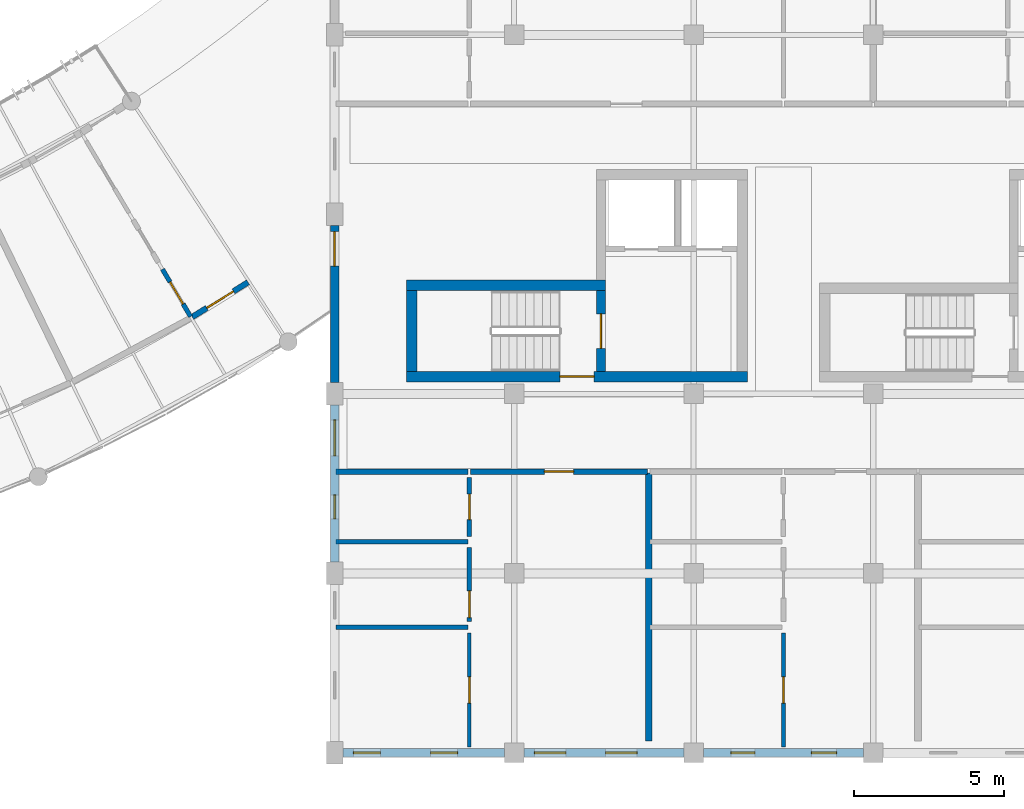
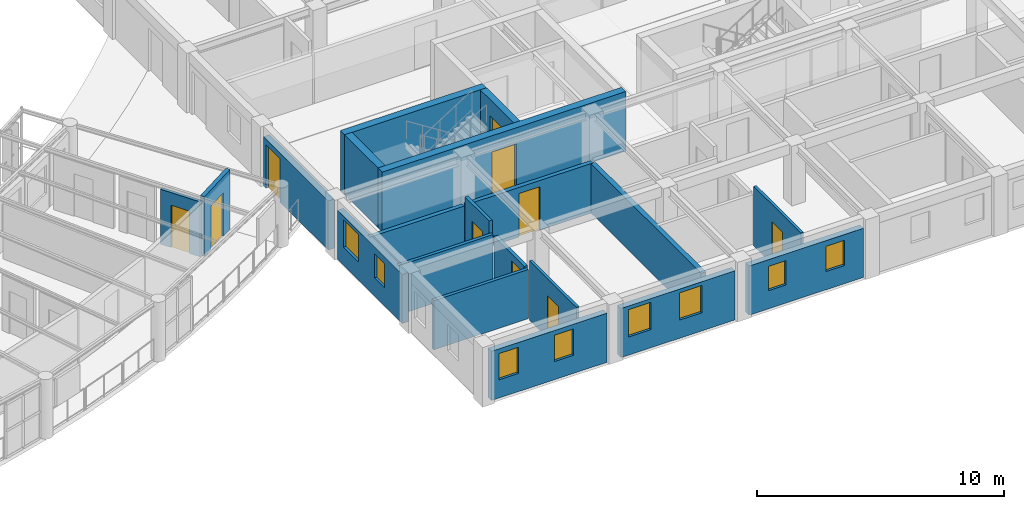
# One storey, part 63 of 100: 20 walls, 10 doors, 8 windows, 18 openings.
"""IFC4 building model written with IfcOpenShell, lengths in metres."""

import ifcopenshell
import ifcopenshell.guid

model = None  # the IFC model being written
_history = None  # IfcOwnerHistory: only IFC2X3 demands one
_inside = {}  # id of a spatial element -> (the spatial element, [elements in it])
_under = {}  # id of a project, library or spatial element -> (it, [spatial elements below it])
_declared = {}  # id of a project -> (the project, [libraries it declares])
_typed = {}  # id of a type object -> (the type object, [elements of that type])
_made_of = {}  # id of a material, layer set ... -> (it, [elements and type objects made of it])


def new_model(schema):
    """Start an empty IFC model of exactly this schema.

    Asked for "IFC4X3", IfcOpenShell would pick the latest addendum, in which some entities
    have other attributes; the version numbers below select the first issue.
    IFC2X3 requires an IfcOwnerHistory on every rooted entity: one is made here for all.
    """
    global model, _history
    if schema == "IFC4X3":
        model = ifcopenshell.file(schema_version=(4, 3, 0, 0))
    else:
        model = ifcopenshell.file(schema=schema)
    _inside.clear()
    _under.clear()
    _declared.clear()
    _typed.clear()
    _made_of.clear()
    _history = None
    if model.schema == "IFC2X3":
        org = make("IfcOrganization", Name="unknown")
        user = make(
            "IfcPersonAndOrganization",
            ThePerson=make("IfcPerson", FamilyName="unknown"),
            TheOrganization=org,
        )
        app = make(
            "IfcApplication",
            ApplicationDeveloper=org,
            Version="unknown",
            ApplicationFullName="unknown",
            ApplicationIdentifier="unknown",
        )
        _history = make(
            "IfcOwnerHistory",
            OwningUser=user,
            OwningApplication=app,
            ChangeAction="ADDED",
            CreationDate=0,
        )
    return model


def make(cls, **values):
    """One entity of the class cls with the attributes given. An attribute that is None is left unset."""
    return model.create_entity(
        cls, **{name: value for name, value in values.items() if value is not None}
    )


def rooted(cls, **values):
    """An entity with a GlobalId (a new one), such as an element, a storey or a relation."""
    return make(cls, GlobalId=ifcopenshell.guid.new(), OwnerHistory=_history, **values)


def si_unit(unit_type, name, prefix=None):
    """IfcSIUnit, for example si_unit("LENGTHUNIT", "METRE", prefix="MILLI")."""
    return make("IfcSIUnit", UnitType=unit_type, Prefix=prefix, Name=name)


def assignment(units):
    """IfcUnitAssignment: the units of a project."""
    return None if units is None else make("IfcUnitAssignment", Units=units)


def point(xyz):
    """IfcCartesianPoint."""
    return None if xyz is None else make("IfcCartesianPoint", Coordinates=xyz)


def direction(xyz):
    """IfcDirection."""
    return None if xyz is None else make("IfcDirection", DirectionRatios=xyz)


def frame(location, z_axis=None, x_axis=None):
    """IfcAxis2Placement3D, a coordinate frame: its origin and axes. An axis left out is left unset."""
    return make(
        "IfcAxis2Placement3D",
        Location=point(location),
        Axis=direction(z_axis),
        RefDirection=direction(x_axis),
    )


def frame_2d(location, x_axis=None):
    """IfcAxis2Placement2D, a coordinate frame in the plane: its origin and x axis."""
    return make(
        "IfcAxis2Placement2D", Location=point(location), RefDirection=direction(x_axis)
    )


def origin():
    """The frame at (0, 0, 0) with its axes left unset."""
    return frame((0.0, 0.0, 0.0))


def place(relative_to, where):
    """IfcLocalPlacement: puts the frame where relative to a parent placement (None: the world)."""
    return make(
        "IfcLocalPlacement", PlacementRelTo=relative_to, RelativePlacement=where
    )


def context(
    kind, dimensions, precision=None, world=None, true_north=None, identifier=None
):
    """IfcGeometricRepresentationContext, for example the 3D "Model" context."""
    return make(
        "IfcGeometricRepresentationContext",
        ContextIdentifier=identifier,
        ContextType=kind,
        CoordinateSpaceDimension=dimensions,
        Precision=precision,
        WorldCoordinateSystem=world,
        TrueNorth=true_north,
    )


def subcontext(parent, identifier, kind, view, scale=None):
    """IfcGeometricRepresentationSubContext, for example "Body" below "Model"."""
    return make(
        "IfcGeometricRepresentationSubContext",
        ContextIdentifier=identifier,
        ContextType=kind,
        ParentContext=parent,
        TargetScale=scale,
        TargetView=view,
    )


def project(units=None, contexts=None):
    """IfcProject with its units and contexts."""
    return rooted(
        "IfcProject",
        Name="project",
        RepresentationContexts=contexts,
        UnitsInContext=assignment(units),
    )


def spatial(cls, under=None, at=None, **own):
    """A site, building, storey or space (cls), placed at a placement, below another one or the project."""
    s = rooted(cls, ObjectPlacement=at, **own)
    if under is not None:
        _under.setdefault(under.id(), (under, []))[1].append(s)
    return s


def profile(cls, at=None, kind="AREA", **sizes):
    """A parametric profile (cls). Its sizes go by their IFC names, for example OverallWidth=200.0."""
    return make(cls, ProfileType=kind, Position=at, **sizes)


def rectangle(**sizes):
    """IfcRectangleProfileDef."""
    return profile("IfcRectangleProfileDef", **sizes)


def extrude(swept, where, along, depth):
    """IfcExtrudedAreaSolid: the profile swept, set in the frame where, extruded along a direction by depth."""
    return make(
        "IfcExtrudedAreaSolid",
        SweptArea=swept,
        Position=where,
        ExtrudedDirection=direction(along),
        Depth=depth,
    )


def shape(context_of_items, identifier, shape_type, items):
    """IfcShapeRepresentation: the items that make up one representation, for example the "Body"."""
    return make(
        "IfcShapeRepresentation",
        ContextOfItems=context_of_items,
        RepresentationIdentifier=identifier,
        RepresentationType=shape_type,
        Items=items,
    )


def material(Name=None, Category=None):
    """IfcMaterial."""
    return make("IfcMaterial", Name=Name, Category=Category)


def layer(
    of_material, thickness, ventilated=None, Name=None, Category=None, Priority=None
):
    """IfcMaterialLayer: one layer of a wall or slab, of a material (None: an air gap)."""
    return make(
        "IfcMaterialLayer",
        Material=of_material,
        LayerThickness=thickness,
        IsVentilated=ventilated,
        Name=Name,
        Category=Category,
        Priority=Priority,
    )


def layer_set(layers, Name=None):
    """IfcMaterialLayerSet."""
    return make("IfcMaterialLayerSet", MaterialLayers=layers, LayerSetName=Name)


def made_of(thing, what):
    """Note that an element or type object is made of a material, layer set ...; save() writes the relation."""
    if what is not None:
        _made_of.setdefault(what.id(), (what, []))[1].append(thing)
    return thing


def type_object(cls, material=None, **own):
    """A type object (cls), such as IfcWallType, which elements share."""
    return made_of(rooted(cls, **own), material)


def element(
    cls,
    number,
    at=None,
    inside=None,
    cuts=None,
    type_object=None,
    material=None,
    context=None,
    identifier="Body",
    shape_type=None,
    held_by="IfcProductDefinitionShape",
    body=None,
    shapes=None,
    **own,
):
    """One element of the class cls, such as IfcWall. Its Tag is "e" and its number.

    at: its placement. inside: the storey or other place that contains it. cuts: it is an
    opening in that element (IfcRelVoidsElement). A single representation is given by context,
    identifier, shape_type and body (its items); several are given by shapes. held_by: the class
    of the entity that holds the representations. save() writes the other relations.
    """
    e = rooted(cls, Tag="e%d" % number, ObjectPlacement=at, **own)
    if body is not None:
        shapes = [shape(context, identifier, shape_type, body)]
    if shapes is not None:
        e.Representation = make(held_by, Representations=shapes)
    if inside is not None:
        _inside.setdefault(inside.id(), (inside, []))[1].append(e)
    if cuts is not None:
        rooted(
            "IfcRelVoidsElement", RelatingBuildingElement=cuts, RelatedOpeningElement=e
        )
    if type_object is not None:
        _typed.setdefault(type_object.id(), (type_object, []))[1].append(e)
    return made_of(e, material)


def fill(opening, filler):
    """IfcRelFillsElement: the door or window that sits in an opening."""
    return rooted(
        "IfcRelFillsElement",
        RelatingOpeningElement=opening,
        RelatedBuildingElement=filler,
    )


def aggregate(whole, parts):
    """IfcRelAggregates: a whole, such as a stair, and the parts it consists of."""
    return rooted("IfcRelAggregates", RelatingObject=whole, RelatedObjects=parts)


def save(model, path):
    """Write the relations noted so far, then the file.

    IfcRelAggregates (storeys below a building ...), IfcRelContainedInSpatialStructure (elements
    in a storey), IfcRelDefinesByType, IfcRelAssociatesMaterial and IfcRelDeclares: one each for
    every whole, place, type object, material and project.
    """
    for whole, parts in _under.values():
        aggregate(whole, parts)
    for where, things in _inside.values():
        rooted(
            "IfcRelContainedInSpatialStructure",
            RelatedElements=things,
            RelatingStructure=where,
        )
    for kind, things in _typed.values():
        rooted("IfcRelDefinesByType", RelatedObjects=things, RelatingType=kind)
    for what, things in _made_of.values():
        rooted("IfcRelAssociatesMaterial", RelatedObjects=things, RelatingMaterial=what)
    for by, libraries in _declared.values():
        rooted("IfcRelDeclares", RelatingContext=by, RelatedDefinitions=libraries)
    model.write(path)


model = new_model("IFC4")

# Units and contexts
model_context = context("Model", 3, precision=1e-05, world=origin(), true_north=direction((0.0, 1.0)))
body_context = subcontext(model_context, "Body", "Model", "MODEL_VIEW")
ifc_project = project(units=[si_unit("LENGTHUNIT", "METRE"), si_unit("AREAUNIT", "SQUARE_METRE"), si_unit("VOLUMEUNIT", "CUBIC_METRE"), si_unit("PLANEANGLEUNIT", "RADIAN"), si_unit("MASSUNIT", "GRAM", prefix="KILO"), si_unit("POWERUNIT", "WATT"), si_unit("THERMODYNAMICTEMPERATUREUNIT", "KELVIN")], contexts=[model_context])

# Site, building, storey
site_placement = place(None, origin())
site = spatial("IfcSite", under=ifc_project, at=site_placement, CompositionType="ELEMENT")
building_placement = place(site_placement, origin())
building = spatial("IfcBuilding", under=site, at=building_placement, Name="Ruvembo Vaulted Housing Court", CompositionType="ELEMENT")
storey_placement = place(building_placement, frame((0.0, 0.0, 14.10009765625)))
storey = spatial("IfcBuildingStorey", under=building, at=storey_placement, Name="L04", CompositionType="ELEMENT", Elevation=14.10009765625)

# Wall, opening, door
ifc_material_1 = material(Name="Concrete C35/45", Category="concrete")
ifc_layer_1 = layer(ifc_material_1, 0.300048828125, Name="Concrete C35/45")
ifc_layer_set_1 = layer_set([ifc_layer_1], Name="Concrete C35/45")
wall_type_1 = type_object("IfcWallType", Name="WL-CORE-300", PredefinedType="SHEAR", material=ifc_layer_set_1)
wall_1_placement = place(storey_placement, frame((110.89990234375, 12.75, 0.0), z_axis=(0.0, 0.0, 1.0), x_axis=(0.0, 1.0, 0.0)))
wall_1 = element("IfcWall", 1, at=wall_1_placement, inside=storey, type_object=wall_type_1, Name="Core C1 L04 Stair-Lobby Shear Wall", PredefinedType="SHEAR", context=body_context, shape_type="SweptSolid", body=[
    extrude(rectangle(XDim=2.699951171875, YDim=0.300048828125, at=frame_2d((1.35009765625, 0.0))), origin(), (0.0, 0.0, 1.0), 2.949951171875),
])
opening_1_placement = place(wall_1_placement, frame((0.77490234375, 0.0, 0.0)))
opening_1 = element("IfcOpeningElement", 2, at=opening_1_placement, cuts=wall_1, Name="Opening SD1", PredefinedType="OPENING", context=body_context, shape_type="SweptSolid", body=[
    extrude(rectangle(XDim=1.14990234375, YDim=2.14990234375, at=frame_2d((0.574951171875, 1.074951171875))), frame((0.0, 0.159912109375, 0.0), z_axis=(0.0, -1.0, 0.0), x_axis=(1.0, 0.0, 0.0)), (0.0, 0.0, 1.0), 0.320068359375),
])
ifc_material_2 = material(Name="Galvanised Painted Steel", Category="steel")
door_type_1 = type_object("IfcDoorType", Name="DR-STAIR-1150x2150", OperationType="NOTDEFINED", PredefinedType="DOOR", material=ifc_material_2)
door_1_placement = place(opening_1_placement, origin())
door_1 = element("IfcDoor", 3, at=door_1_placement, inside=storey, type_object=door_type_1, Name="Stair ST-C1 L04 Fire Door", OperationType="SINGLE_SWING_LEFT", OverallHeight=2.14990234375, OverallWidth=1.14990234375, PredefinedType="DOOR", context=body_context, shape_type="SweptSolid", body=[
    extrude(rectangle(XDim=1.14990234375, YDim=2.14990234375, at=frame_2d((0.574951171875, 1.074951171875))), frame((0.0, 0.02490234375, 0.0), z_axis=(0.0, -1.0, 0.0), x_axis=(1.0, 0.0, 0.0)), (0.0, 0.0, 1.0), 0.050048828125),
])
fill(opening_1, door_1)

ifc_layer_2 = layer(ifc_material_1, 0.35009765625, Name="Concrete C35/45")
ifc_layer_set_2 = layer_set([ifc_layer_2], Name="Concrete C35/45")
wall_type_2 = type_object("IfcWallType", Name="WL-CORE-350", PredefinedType="SHEAR", material=ifc_layer_set_2)
wall_2_placement = place(storey_placement, frame((104.39990234375, 12.574951171875, 0.0), z_axis=(0.0, 0.0, 1.0), x_axis=(1.0, 0.0, 0.0)))
wall_2 = element("IfcWall", 4, at=wall_2_placement, inside=storey, type_object=wall_type_2, Name="Core C1 L04 South Shear Wall", PredefinedType="SHEAR", context=body_context, shape_type="SweptSolid", body=[
    extrude(rectangle(XDim=11.400146484375, YDim=0.35009765625, at=frame_2d((5.7001953125, 0.0))), origin(), (0.0, 0.0, 1.0), 2.949951171875),
])
opening_2_placement = place(wall_2_placement, frame((5.125, 0.0, 0.0)))
opening_2 = element("IfcOpeningElement", 5, at=opening_2_placement, cuts=wall_2, Name="Opening LD0", PredefinedType="OPENING", context=body_context, shape_type="SweptSolid", body=[
    extrude(rectangle(XDim=1.14990234375, YDim=2.14990234375, at=frame_2d((0.574951171875, 1.074951171875))), frame((0.0, 0.18505859375, 0.0), z_axis=(0.0, -1.0, 0.0), x_axis=(1.0, 0.0, 0.0)), (0.0, 0.0, 1.0), 0.3701171875),
])
door_type_2 = type_object("IfcDoorType", Name="DR-LOB-1150x2150", OperationType="NOTDEFINED", PredefinedType="DOOR", material=ifc_material_2)
door_2_placement = place(opening_2_placement, origin())
door_2 = element("IfcDoor", 6, at=door_2_placement, inside=storey, type_object=door_type_2, Name="Core C1 L04 Lobby Fire Door", OperationType="SINGLE_SWING_RIGHT", OverallHeight=2.14990234375, OverallWidth=1.14990234375, PredefinedType="DOOR", context=body_context, shape_type="SweptSolid", body=[
    extrude(rectangle(XDim=1.14990234375, YDim=2.14990234375, at=frame_2d((0.574951171875, 1.074951171875))), frame((0.0, 0.02490234375, 0.0), z_axis=(0.0, -1.0, 0.0), x_axis=(1.0, 0.0, 0.0)), (0.0, 0.0, 1.0), 0.050048828125),
])
fill(opening_2, door_2)

# Walls
wall_3_placement = place(storey_placement, frame((111.050048828125, 15.625, 0.0), z_axis=(0.0, 0.0, 1.0), x_axis=(-1.0, 0.0, 0.0)))
element("IfcWall", 7, at=wall_3_placement, inside=storey, type_object=wall_type_2, Name="Core C1 L04 Stair North Shear Wall", PredefinedType="SHEAR", context=body_context, shape_type="SweptSolid", body=[
    extrude(rectangle(XDim=6.650146484375, YDim=0.35009765625, at=frame_2d((3.3251953125, 0.0))), origin(), (0.0, 0.0, 1.0), 2.949951171875),
])
wall_4_placement = place(storey_placement, frame((104.574951171875, 15.449951171875, 0.0), z_axis=(0.0, 0.0, 1.0), x_axis=(0.0, -1.0, 0.0)))
element("IfcWall", 8, at=wall_4_placement, inside=storey, type_object=wall_type_2, Name="Core C1 L04 Stair West Shear Wall", PredefinedType="SHEAR", context=body_context, shape_type="SweptSolid", body=[
    extrude(rectangle(XDim=2.699951171875, YDim=0.35009765625, at=frame_2d((1.35009765625, 0.0))), origin(), (0.0, 0.0, 1.0), 2.949951171875),
])
ifc_material_3 = material(Name="Concrete Blockwork 190", Category="masonry")
ifc_layer_3 = layer(ifc_material_3, 0.18994140625, Name="Concrete Blockwork 190")
ifc_layer_set_3 = layer_set([ifc_layer_3], Name="Concrete Blockwork 190")
wall_type_3 = type_object("IfcWallType", Name="WL-CORR-190", PredefinedType="SOLIDWALL", material=ifc_layer_set_3)
wall_5_placement = place(storey_placement, frame((102.0400390625, 9.39990234375, 0.0), z_axis=(0.0, 0.0, 1.0), x_axis=(1.0, 0.0, 0.0)))
element("IfcWall", 9, at=wall_5_placement, inside=storey, type_object=wall_type_3, Name="L04 Flat C-L04-S1 Corridor Wall WL-INT-L04-01188", PredefinedType="SOLIDWALL", context=body_context, shape_type="SweptSolid", body=[
    extrude(rectangle(XDim=4.419921875, YDim=0.18994140625, at=frame_2d((2.2099609375, 0.0))), origin(), (0.0, 0.0, 1.0), 2.431884765625),
])

# Wall, opening, door
wall_6_placement = place(storey_placement, frame((106.5400390625, 9.39990234375, 0.0), z_axis=(0.0, 0.0, 1.0), x_axis=(1.0, 0.0, 0.0)))
wall_6 = element("IfcWall", 10, at=wall_6_placement, inside=storey, type_object=wall_type_3, Name="L04 Flat C-L04-S1 Entrance WL-INT-L04-01189", PredefinedType="SOLIDWALL", context=body_context, shape_type="SweptSolid", body=[
    extrude(rectangle(XDim=5.919921875, YDim=0.18994140625, at=frame_2d((2.9599609375, 0.0))), origin(), (0.0, 0.0, 1.0), 2.4580078125),
])
opening_3_placement = place(wall_6_placement, frame((2.469970703125, 0.0, 0.0)))
opening_3 = element("IfcOpeningElement", 11, at=opening_3_placement, cuts=wall_6, Name="Opening FD2", PredefinedType="OPENING", context=body_context, shape_type="SweptSolid", body=[
    extrude(rectangle(XDim=0.97998046875, YDim=2.14990234375, at=frame_2d((0.489990234375, 1.074951171875))), frame((0.0, 0.10498046875, 0.0), z_axis=(0.0, -1.0, 0.0), x_axis=(1.0, 0.0, 0.0)), (0.0, 0.0, 1.0), 0.2099609375),
])
ifc_material_4 = material(Name="FSC Hardwood and Engineered Timber", Category="wood")
door_type_3 = type_object("IfcDoorType", Name="DR-FLAT-0980x2150", OperationType="NOTDEFINED", PredefinedType="DOOR", material=ifc_material_4)
door_3_placement = place(opening_3_placement, origin())
door_3 = element("IfcDoor", 12, at=door_3_placement, inside=storey, type_object=door_type_3, Name="L04 Flat C-L04-S1 Entrance Door DR-INT-L04-00664", OperationType="SINGLE_SWING_RIGHT", OverallHeight=2.14990234375, OverallWidth=0.97998046875, PredefinedType="DOOR", context=body_context, shape_type="SweptSolid", body=[
    extrude(rectangle(XDim=0.97998046875, YDim=2.14990234375, at=frame_2d((0.489990234375, 1.074951171875))), frame((0.0, 0.02490234375, 0.0), z_axis=(0.0, -1.0, 0.0), x_axis=(1.0, 0.0, 0.0)), (0.0, 0.0, 1.0), 0.050048828125),
])
fill(opening_3, door_3)

wall_7_placement = place(storey_placement, frame((97.238525390625, 14.57080078125, 0.0), z_axis=(0.0, 0.0, 1.0), x_axis=(0.848914783767, 0.528529743631, 0.0)))
wall_7 = element("IfcWall", 13, at=wall_7_placement, inside=storey, type_object=wall_type_3, Name="L04 Suite SC2-L04-U6 Entrance WL-INT-L04-01341", PredefinedType="SOLIDWALL", context=body_context, shape_type="SweptSolid", body=[
    extrude(rectangle(XDim=2.197021484375, YDim=0.18994140625, at=frame_2d((1.0986328125, 0.0))), origin(), (0.0, 0.0, 1.0), 2.949951171875),
])
opening_4_placement = place(wall_7_placement, frame((0.573486328125, 0.0, 0.0)))
opening_4 = element("IfcOpeningElement", 14, at=opening_4_placement, cuts=wall_7, Name="Opening FD3", PredefinedType="OPENING", context=body_context, shape_type="SweptSolid", body=[
    extrude(rectangle(XDim=1.050048828125, YDim=2.14990234375, at=frame_2d((0.52490234375, 1.074951171875))), frame((0.0, 0.10498046875, 0.0), z_axis=(0.0, -1.0, 0.0), x_axis=(1.0, 0.0, 0.0)), (0.0, 0.0, 1.0), 0.2099609375),
])
door_type_4 = type_object("IfcDoorType", Name="DR-FLAT-1050x2150", OperationType="NOTDEFINED", PredefinedType="DOOR", material=ifc_material_4)
door_4_placement = place(opening_4_placement, origin())
door_4 = element("IfcDoor", 15, at=door_4_placement, inside=storey, type_object=door_type_4, Name="L04 Suite SC2-L04-U6 Entrance Door DR-INT-L04-00752", OperationType="SINGLE_SWING_RIGHT", OverallHeight=2.14990234375, OverallWidth=1.050048828125, PredefinedType="DOOR", context=body_context, shape_type="SweptSolid", body=[
    extrude(rectangle(XDim=1.050048828125, YDim=2.14990234375, at=frame_2d((0.52490234375, 1.074951171875))), frame((0.0, 0.02490234375, 0.0), z_axis=(0.0, -1.0, 0.0), x_axis=(1.0, 0.0, 0.0)), (0.0, 0.0, 1.0), 0.050048828125),
])
fill(opening_4, door_4)

# Wall
ifc_material_5 = material(Name="Acoustic Masonry Demising 220", Category="masonry")
ifc_layer_4 = layer(ifc_material_5, 0.219970703125, Name="Acoustic Masonry Demising 220")
ifc_layer_set_4 = layer_set([ifc_layer_4], Name="Acoustic Masonry Demising 220")
wall_type_4 = type_object("IfcWallType", Name="WL-DEM-200", PredefinedType="SOLIDWALL", material=ifc_layer_set_4)
wall_8_placement = place(storey_placement, frame((112.5, 0.389892578125, 0.0), z_axis=(0.0, 0.0, 1.0), x_axis=(0.0, 1.0, 0.0)))
element("IfcWall", 16, at=wall_8_placement, inside=storey, type_object=wall_type_4, Name="L04 Demising C-L04-S1 WL-INT-L04-01187", PredefinedType="SOLIDWALL", context=body_context, shape_type="SweptSolid", body=[
    extrude(rectangle(XDim=8.97021484375, YDim=0.219970703125, at=frame_2d((4.485107421875, 0.0))), origin(), (0.0, 0.0, 1.0), 2.431884765625),
])

# Wall, openings, windows
ifc_material_6 = material(Name="Rendered Masonry 285", Category="masonry")
ifc_layer_5 = layer(ifc_material_6, 0.284912109375, Name="Rendered Masonry 285")
ifc_layer_set_5 = layer_set([ifc_layer_5], Name="Rendered Masonry 285")
wall_type_5 = type_object("IfcWallType", Name="WL-EXT-285", PredefinedType="STANDARD", material=ifc_layer_set_5)
wall_9_placement = place(storey_placement, frame((102.27490234375, 0.0, 0.0), z_axis=(0.0, 0.0, 1.0), x_axis=(1.0, 0.0, 0.0)))
wall_9 = element("IfcWall", 17, at=wall_9_placement, inside=storey, type_object=wall_type_5, Name="Block C L04 Exterior Wall STREET #1", PredefinedType="STANDARD", context=body_context, shape_type="SweptSolid", body=[
    extrude(rectangle(XDim=5.400146484375, YDim=0.284912109375, at=frame_2d((2.7001953125, 0.0))), origin(), (0.0, 0.0, 1.0), 2.431884765625),
])
opening_5_placement = place(wall_9_placement, frame((0.35009765625, 0.0, 0.89990234375)))
opening_5 = element("IfcOpeningElement", 18, at=opening_5_placement, cuts=wall_9, Name="Opening W04", PredefinedType="OPENING", context=body_context, shape_type="SweptSolid", body=[
    extrude(rectangle(XDim=0.89990234375, YDim=1.300048828125, at=frame_2d((0.449951171875, 0.64990234375))), frame((0.0, 0.15234375, 0.0), z_axis=(0.0, -1.0, 0.0), x_axis=(1.0, 0.0, 0.0)), (0.0, 0.0, 1.0), 0.304931640625),
])
opening_6_placement = place(wall_9_placement, frame((2.93505859375, 0.0, 0.89990234375)))
opening_6 = element("IfcOpeningElement", 19, at=opening_6_placement, cuts=wall_9, Name="Opening W04", PredefinedType="OPENING", context=body_context, shape_type="SweptSolid", body=[
    extrude(rectangle(XDim=0.89990234375, YDim=1.300048828125, at=frame_2d((0.449951171875, 0.64990234375))), frame((0.0, 0.15234375, 0.0), z_axis=(0.0, -1.0, 0.0), x_axis=(1.0, 0.0, 0.0)), (0.0, 0.0, 1.0), 0.304931640625),
])
ifc_material_7 = material(Name="Double Solar-Control Glazing in Aluminium Frame", Category="aluminium")
window_type_1 = type_object("IfcWindowType", Name="WIN-0900x1300", PartitioningType="SINGLE_PANEL", PredefinedType="WINDOW", material=ifc_material_7)
window_1_placement = place(opening_5_placement, origin())
window_1 = element("IfcWindow", 20, at=window_1_placement, inside=storey, type_object=window_type_1, Name="Block C L04 Window #1238", OverallHeight=1.300048828125, OverallWidth=0.89990234375, PartitioningType="SINGLE_PANEL", PredefinedType="WINDOW", context=body_context, shape_type="SweptSolid", body=[
    extrude(rectangle(XDim=0.89990234375, YDim=1.300048828125, at=frame_2d((0.449951171875, 0.64990234375))), frame((0.0, 0.030029296875, 0.0), z_axis=(0.0, -1.0, 0.0), x_axis=(1.0, 0.0, 0.0)), (0.0, 0.0, 1.0), 0.06005859375),
])
fill(opening_5, window_1)
window_2_placement = place(opening_6_placement, origin())
window_2 = element("IfcWindow", 21, at=window_2_placement, inside=storey, type_object=window_type_1, Name="Block C L04 Window #1239", OverallHeight=1.300048828125, OverallWidth=0.89990234375, PartitioningType="SINGLE_PANEL", PredefinedType="WINDOW", context=body_context, shape_type="SweptSolid", body=[
    extrude(rectangle(XDim=0.89990234375, YDim=1.300048828125, at=frame_2d((0.449951171875, 0.64990234375))), frame((0.0, 0.030029296875, 0.0), z_axis=(0.0, -1.0, 0.0), x_axis=(1.0, 0.0, 0.0)), (0.0, 0.0, 1.0), 0.06005859375),
])
fill(opening_6, window_2)

wall_10_placement = place(storey_placement, frame((108.324951171875, 0.0, 0.0), z_axis=(0.0, 0.0, 1.0), x_axis=(1.0, 0.0, 0.0)))
wall_10 = element("IfcWall", 22, at=wall_10_placement, inside=storey, type_object=wall_type_5, Name="Block C L04 Exterior Wall STREET #2", PredefinedType="STANDARD", context=body_context, shape_type="SweptSolid", body=[
    extrude(rectangle(XDim=5.35009765625, YDim=0.284912109375, at=frame_2d((2.675048828125, 0.0))), origin(), (0.0, 0.0, 1.0), 2.431884765625),
])
opening_7_placement = place(wall_10_placement, frame((0.35009765625, 0.0, 0.89990234375)))
opening_7 = element("IfcOpeningElement", 23, at=opening_7_placement, cuts=wall_10, Name="Opening W09", PredefinedType="OPENING", context=body_context, shape_type="SweptSolid", body=[
    extrude(rectangle(XDim=1.050048828125, YDim=1.35009765625, at=frame_2d((0.52490234375, 0.675048828125))), frame((0.0, 0.15234375, 0.0), z_axis=(0.0, -1.0, 0.0), x_axis=(1.0, 0.0, 0.0)), (0.0, 0.0, 1.0), 0.304931640625),
])
opening_8_placement = place(wall_10_placement, frame((2.735107421875, 0.0, 0.89990234375)))
opening_8 = element("IfcOpeningElement", 24, at=opening_8_placement, cuts=wall_10, Name="Opening W09", PredefinedType="OPENING", context=body_context, shape_type="SweptSolid", body=[
    extrude(rectangle(XDim=1.050048828125, YDim=1.35009765625, at=frame_2d((0.52490234375, 0.675048828125))), frame((0.0, 0.15234375, 0.0), z_axis=(0.0, -1.0, 0.0), x_axis=(1.0, 0.0, 0.0)), (0.0, 0.0, 1.0), 0.304931640625),
])
window_type_2 = type_object("IfcWindowType", Name="WIN-1050x1350", PartitioningType="SINGLE_PANEL", PredefinedType="WINDOW", material=ifc_material_7)
window_3_placement = place(opening_7_placement, origin())
window_3 = element("IfcWindow", 25, at=window_3_placement, inside=storey, type_object=window_type_2, Name="Block C L04 Window #1240", OverallHeight=1.35009765625, OverallWidth=1.050048828125, PartitioningType="SINGLE_PANEL", PredefinedType="WINDOW", context=body_context, shape_type="SweptSolid", body=[
    extrude(rectangle(XDim=1.050048828125, YDim=1.35009765625, at=frame_2d((0.52490234375, 0.675048828125))), frame((0.0, 0.030029296875, 0.0), z_axis=(0.0, -1.0, 0.0), x_axis=(1.0, 0.0, 0.0)), (0.0, 0.0, 1.0), 0.06005859375),
])
fill(opening_7, window_3)
window_4_placement = place(opening_8_placement, origin())
window_4 = element("IfcWindow", 26, at=window_4_placement, inside=storey, type_object=window_type_2, Name="Block C L04 Window #1241", OverallHeight=1.35009765625, OverallWidth=1.050048828125, PartitioningType="SINGLE_PANEL", PredefinedType="WINDOW", context=body_context, shape_type="SweptSolid", body=[
    extrude(rectangle(XDim=1.050048828125, YDim=1.35009765625, at=frame_2d((0.52490234375, 0.675048828125))), frame((0.0, 0.030029296875, 0.0), z_axis=(0.0, -1.0, 0.0), x_axis=(1.0, 0.0, 0.0)), (0.0, 0.0, 1.0), 0.06005859375),
])
fill(opening_8, window_4)

wall_11_placement = place(storey_placement, frame((114.324951171875, 0.0, 0.0), z_axis=(0.0, 0.0, 1.0), x_axis=(1.0, 0.0, 0.0)))
wall_11 = element("IfcWall", 27, at=wall_11_placement, inside=storey, type_object=wall_type_5, Name="Block C L04 Exterior Wall STREET #3", PredefinedType="STANDARD", context=body_context, shape_type="SweptSolid", body=[
    extrude(rectangle(XDim=5.35009765625, YDim=0.284912109375, at=frame_2d((2.675048828125, 0.0))), origin(), (0.0, 0.0, 1.0), 2.431884765625),
])
opening_9_placement = place(wall_11_placement, frame((0.91748046875, 0.0, 0.89990234375)))
opening_9 = element("IfcOpeningElement", 28, at=opening_9_placement, cuts=wall_11, Name="Opening W02", PredefinedType="OPENING", context=body_context, shape_type="SweptSolid", body=[
    extrude(rectangle(XDim=0.800048828125, YDim=1.199951171875, at=frame_2d((0.39990234375, 0.60009765625))), frame((0.0, 0.15234375, 0.0), z_axis=(0.0, -1.0, 0.0), x_axis=(1.0, 0.0, 0.0)), (0.0, 0.0, 1.0), 0.304931640625),
])
opening_10_placement = place(wall_11_placement, frame((3.607421875, 0.0, 0.89990234375)))
opening_10 = element("IfcOpeningElement", 29, at=opening_10_placement, cuts=wall_11, Name="Opening W03", PredefinedType="OPENING", context=body_context, shape_type="SweptSolid", body=[
    extrude(rectangle(XDim=0.85009765625, YDim=1.25, at=frame_2d((0.425048828125, 0.625))), frame((0.0, 0.15234375, 0.0), z_axis=(0.0, -1.0, 0.0), x_axis=(1.0, 0.0, 0.0)), (0.0, 0.0, 1.0), 0.304931640625),
])
window_type_3 = type_object("IfcWindowType", Name="WIN-0800x1200", PartitioningType="SINGLE_PANEL", PredefinedType="WINDOW", material=ifc_material_7)
window_5_placement = place(opening_9_placement, origin())
window_5 = element("IfcWindow", 30, at=window_5_placement, inside=storey, type_object=window_type_3, Name="Block C L04 Window #1242", OverallHeight=1.199951171875, OverallWidth=0.800048828125, PartitioningType="SINGLE_PANEL", PredefinedType="WINDOW", context=body_context, shape_type="SweptSolid", body=[
    extrude(rectangle(XDim=0.800048828125, YDim=1.199951171875, at=frame_2d((0.39990234375, 0.60009765625))), frame((0.0, 0.030029296875, 0.0), z_axis=(0.0, -1.0, 0.0), x_axis=(1.0, 0.0, 0.0)), (0.0, 0.0, 1.0), 0.06005859375),
])
fill(opening_9, window_5)
window_type_4 = type_object("IfcWindowType", Name="WIN-0850x1250", PartitioningType="SINGLE_PANEL", PredefinedType="WINDOW", material=ifc_material_7)
window_6_placement = place(opening_10_placement, origin())
window_6 = element("IfcWindow", 31, at=window_6_placement, inside=storey, type_object=window_type_4, Name="Block C L04 Window #1243", OverallHeight=1.25, OverallWidth=0.85009765625, PartitioningType="SINGLE_PANEL", PredefinedType="WINDOW", context=body_context, shape_type="SweptSolid", body=[
    extrude(rectangle(XDim=0.85009765625, YDim=1.25, at=frame_2d((0.425048828125, 0.625))), frame((0.0, 0.030029296875, 0.0), z_axis=(0.0, -1.0, 0.0), x_axis=(1.0, 0.0, 0.0)), (0.0, 0.0, 1.0), 0.06005859375),
])
fill(opening_10, window_6)

# Wall, opening, door
wall_12_placement = place(storey_placement, frame((102.0, 17.625, 0.0), z_axis=(0.0, 0.0, 1.0), x_axis=(0.0, -1.0, 0.0)))
wall_12 = element("IfcWall", 32, at=wall_12_placement, inside=storey, type_object=wall_type_5, Name="Block C L04 Exterior Wall WEST #4", PredefinedType="STANDARD", context=body_context, shape_type="SweptSolid", body=[
    extrude(rectangle(XDim=5.25, YDim=0.284912109375, at=frame_2d((2.625, 0.0))), origin(), (0.0, 0.0, 1.0), 2.431884765625),
])
opening_11_placement = place(wall_12_placement, frame((0.199951171875, 0.0, 0.0)))
opening_11 = element("IfcOpeningElement", 33, at=opening_11_placement, cuts=wall_12, Name="Opening GD1", PredefinedType="OPENING", context=body_context, shape_type="SweptSolid", body=[
    extrude(rectangle(XDim=1.14990234375, YDim=2.14990234375, at=frame_2d((0.574951171875, 1.074951171875))), frame((0.0, 0.15234375, 0.0), z_axis=(0.0, -1.0, 0.0), x_axis=(1.0, 0.0, 0.0)), (0.0, 0.0, 1.0), 0.304931640625),
])
ifc_material_8 = material(Name="Thermally Broken Glazed Aluminium", Category="aluminium")
door_type_5 = type_object("IfcDoorType", Name="DR-GAL-1150x2150", OperationType="NOTDEFINED", PredefinedType="DOOR", material=ifc_material_8)
door_5_placement = place(opening_11_placement, frame((1.14990234375, 0.0, 0.0), z_axis=(0.0, 0.0, 1.0), x_axis=(-1.0, 0.0, 0.0)))
door_5 = element("IfcDoor", 34, at=door_5_placement, inside=storey, type_object=door_type_5, Name="Block C L04 Terrace or Gallery Door DR-TER-C-L04-061", OperationType="SINGLE_SWING_RIGHT", OverallHeight=2.14990234375, OverallWidth=1.14990234375, PredefinedType="DOOR", context=body_context, shape_type="SweptSolid", body=[
    extrude(rectangle(XDim=1.14990234375, YDim=2.14990234375, at=frame_2d((0.574951171875, 1.074951171875))), frame((0.0, 0.02490234375, 0.0), z_axis=(0.0, -1.0, 0.0), x_axis=(1.0, 0.0, 0.0)), (0.0, 0.0, 1.0), 0.050048828125),
])
fill(opening_11, door_5)

# Wall, openings, windows
wall_13_placement = place(storey_placement, frame((102.0, 11.625, 0.0), z_axis=(0.0, 0.0, 1.0), x_axis=(0.0, -1.0, 0.0)))
wall_13 = element("IfcWall", 35, at=wall_13_placement, inside=storey, type_object=wall_type_5, Name="Block C L04 Exterior Wall WEST #5", PredefinedType="STANDARD", context=body_context, shape_type="SweptSolid", body=[
    extrude(rectangle(XDim=5.25, YDim=0.284912109375, at=frame_2d((2.625, 0.0))), origin(), (0.0, 0.0, 1.0), 2.431884765625),
])
opening_12_placement = place(wall_13_placement, frame((0.492431640625, 0.0, 0.89990234375)))
opening_12 = element("IfcOpeningElement", 36, at=opening_12_placement, cuts=wall_13, Name="Opening W12", PredefinedType="OPENING", context=body_context, shape_type="SweptSolid", body=[
    extrude(rectangle(XDim=1.199951171875, YDim=1.35009765625, at=frame_2d((0.60009765625, 0.675048828125))), frame((0.0, 0.15234375, 0.0), z_axis=(0.0, -1.0, 0.0), x_axis=(1.0, 0.0, 0.0)), (0.0, 0.0, 1.0), 0.304931640625),
])
opening_13_placement = place(wall_13_placement, frame((3.0, 0.0, 0.89990234375)))
opening_13 = element("IfcOpeningElement", 37, at=opening_13_placement, cuts=wall_13, Name="Opening W02", PredefinedType="OPENING", context=body_context, shape_type="SweptSolid", body=[
    extrude(rectangle(XDim=0.800048828125, YDim=1.199951171875, at=frame_2d((0.39990234375, 0.60009765625))), frame((0.0, 0.15234375, 0.0), z_axis=(0.0, -1.0, 0.0), x_axis=(1.0, 0.0, 0.0)), (0.0, 0.0, 1.0), 0.304931640625),
])
window_7_placement = place(opening_13_placement, origin())
window_7 = element("IfcWindow", 38, at=window_7_placement, inside=storey, type_object=window_type_3, Name="Block C L04 Window #1278", OverallHeight=1.199951171875, OverallWidth=0.800048828125, PartitioningType="SINGLE_PANEL", PredefinedType="WINDOW", context=body_context, shape_type="SweptSolid", body=[
    extrude(rectangle(XDim=0.800048828125, YDim=1.199951171875, at=frame_2d((0.39990234375, 0.60009765625))), frame((0.0, 0.030029296875, 0.0), z_axis=(0.0, -1.0, 0.0), x_axis=(1.0, 0.0, 0.0)), (0.0, 0.0, 1.0), 0.06005859375),
])
fill(opening_13, window_7)
window_type_5 = type_object("IfcWindowType", Name="WIN-1200x1350", PartitioningType="SINGLE_PANEL", PredefinedType="WINDOW", material=ifc_material_7)
window_8_placement = place(opening_12_placement, origin())
window_8 = element("IfcWindow", 39, at=window_8_placement, inside=storey, type_object=window_type_5, Name="Block C L04 Window #1277", OverallHeight=1.35009765625, OverallWidth=1.199951171875, PartitioningType="SINGLE_PANEL", PredefinedType="WINDOW", context=body_context, shape_type="SweptSolid", body=[
    extrude(rectangle(XDim=1.199951171875, YDim=1.35009765625, at=frame_2d((0.60009765625, 0.675048828125))), frame((0.0, 0.030029296875, 0.0), z_axis=(0.0, -1.0, 0.0), x_axis=(1.0, 0.0, 0.0)), (0.0, 0.0, 1.0), 0.06005859375),
])
fill(opening_12, window_8)

# Wall, opening, door
ifc_material_9 = material(Name="Plasterboard Stud Partition 125", Category="gypsum")
ifc_layer_6 = layer(ifc_material_9, 0.125, Name="Plasterboard Stud Partition 125")
ifc_layer_set_6 = layer_set([ifc_layer_6], Name="Plasterboard Stud Partition 125")
wall_type_6 = type_object("IfcWallType", Name="WL-PART-125", PredefinedType="PARTITIONING", material=ifc_layer_set_6)
wall_14_placement = place(storey_placement, frame((106.5, 0.18994140625, 0.0), z_axis=(0.0, 0.0, 1.0), x_axis=(0.0, 1.0, 0.0)))
wall_14 = element("IfcWall", 40, at=wall_14_placement, inside=storey, type_object=wall_type_6, Name="L04 Flat C-L04-S1 Bedroom 1 WL-INT-L04-01190", PredefinedType="PARTITIONING", context=body_context, shape_type="SweptSolid", body=[
    extrude(rectangle(XDim=3.820068359375, YDim=0.125, at=frame_2d((1.91015625, 0.0))), origin(), (0.0, 0.0, 1.0), 2.949951171875),
])
opening_14_placement = place(wall_14_placement, frame((1.469970703125, 0.0, 0.0)))
opening_14 = element("IfcOpeningElement", 41, at=opening_14_placement, cuts=wall_14, Name="Opening ID3", PredefinedType="OPENING", context=body_context, shape_type="SweptSolid", body=[
    extrude(rectangle(XDim=0.8798828125, YDim=2.10009765625, at=frame_2d((0.43994140625, 1.050048828125))), frame((0.0, 0.072509765625, 0.0), z_axis=(0.0, -1.0, 0.0), x_axis=(1.0, 0.0, 0.0)), (0.0, 0.0, 1.0), 0.14501953125),
])
door_type_6 = type_object("IfcDoorType", Name="DR-ROOM-0880x2100", OperationType="NOTDEFINED", PredefinedType="DOOR", material=ifc_material_4)
door_6_placement = place(opening_14_placement, origin())
door_6 = element("IfcDoor", 42, at=door_6_placement, inside=storey, type_object=door_type_6, Name="L04 Flat C-L04-S1 Bedroom 1 Door DR-INT-L04-00665", OperationType="SINGLE_SWING_LEFT", OverallHeight=2.10009765625, OverallWidth=0.8798828125, PredefinedType="DOOR", context=body_context, shape_type="SweptSolid", body=[
    extrude(rectangle(XDim=0.8798828125, YDim=2.10009765625, at=frame_2d((0.43994140625, 1.050048828125))), frame((0.0, 0.02490234375, 0.0), z_axis=(0.0, -1.0, 0.0), x_axis=(1.0, 0.0, 0.0)), (0.0, 0.0, 1.0), 0.050048828125),
])
fill(opening_14, door_6)

wall_15_placement = place(storey_placement, frame((117.0, 0.18994140625, 0.0), z_axis=(0.0, 0.0, 1.0), x_axis=(0.0, 1.0, 0.0)))
wall_15 = element("IfcWall", 43, at=wall_15_placement, inside=storey, type_object=wall_type_6, Name="L04 Flat C-L04-S2 Bedroom 1 WL-INT-L04-01198", PredefinedType="PARTITIONING", context=body_context, shape_type="SweptSolid", body=[
    extrude(rectangle(XDim=3.820068359375, YDim=0.125, at=frame_2d((1.91015625, 0.0))), origin(), (0.0, 0.0, 1.0), 2.949951171875),
])
opening_15_placement = place(wall_15_placement, frame((1.469970703125, 0.0, 0.0)))
opening_15 = element("IfcOpeningElement", 44, at=opening_15_placement, cuts=wall_15, Name="Opening ID3", PredefinedType="OPENING", context=body_context, shape_type="SweptSolid", body=[
    extrude(rectangle(XDim=0.8798828125, YDim=2.10009765625, at=frame_2d((0.43994140625, 1.050048828125))), frame((0.0, 0.072509765625, 0.0), z_axis=(0.0, -1.0, 0.0), x_axis=(1.0, 0.0, 0.0)), (0.0, 0.0, 1.0), 0.14501953125),
])
door_7_placement = place(opening_15_placement, origin())
door_7 = element("IfcDoor", 45, at=door_7_placement, inside=storey, type_object=door_type_6, Name="L04 Flat C-L04-S2 Bedroom 1 Door DR-INT-L04-00669", OperationType="SINGLE_SWING_LEFT", OverallHeight=2.10009765625, OverallWidth=0.8798828125, PredefinedType="DOOR", context=body_context, shape_type="SweptSolid", body=[
    extrude(rectangle(XDim=0.8798828125, YDim=2.10009765625, at=frame_2d((0.43994140625, 1.050048828125))), frame((0.0, 0.02490234375, 0.0), z_axis=(0.0, -1.0, 0.0), x_axis=(1.0, 0.0, 0.0)), (0.0, 0.0, 1.0), 0.050048828125),
])
fill(opening_15, door_7)

ifc_material_10 = material(Name="Moisture-Resistant Wet Partition 150", Category="gypsum")
ifc_layer_7 = layer(ifc_material_10, 0.14990234375, Name="Moisture-Resistant Wet Partition 150")
ifc_layer_set_7 = layer_set([ifc_layer_7], Name="Moisture-Resistant Wet Partition 150")
wall_type_7 = type_object("IfcWallType", Name="WL-PART-150", PredefinedType="PARTITIONING", material=ifc_layer_set_7)
wall_16_placement = place(storey_placement, frame((106.5, 7.239990234375, 0.0), z_axis=(0.0, 0.0, 1.0), x_axis=(0.0, 1.0, 0.0)))
wall_16 = element("IfcWall", 46, at=wall_16_placement, inside=storey, type_object=wall_type_7, Name="L04 Flat C-L04-S1 Bathroom WL-INT-L04-01192", PredefinedType="PARTITIONING", context=body_context, shape_type="SweptSolid", body=[
    extrude(rectangle(XDim=1.969970703125, YDim=0.14990234375, at=frame_2d((0.98486328125, 0.0))), origin(), (0.0, 0.0, 1.0), 2.949951171875),
])
opening_16_placement = place(wall_16_placement, frame((0.56005859375, 0.0, 0.0)))
opening_16 = element("IfcOpeningElement", 47, at=opening_16_placement, cuts=wall_16, Name="Opening ID2", PredefinedType="OPENING", context=body_context, shape_type="SweptSolid", body=[
    extrude(rectangle(XDim=0.85009765625, YDim=2.10009765625, at=frame_2d((0.425048828125, 1.050048828125))), frame((0.0, 0.0849609375, 0.0), z_axis=(0.0, -1.0, 0.0), x_axis=(1.0, 0.0, 0.0)), (0.0, 0.0, 1.0), 0.169921875),
])
door_type_7 = type_object("IfcDoorType", Name="DR-WET-0850x2100", OperationType="NOTDEFINED", PredefinedType="DOOR", material=ifc_material_4)
door_8_placement = place(opening_16_placement, origin())
door_8 = element("IfcDoor", 48, at=door_8_placement, inside=storey, type_object=door_type_7, Name="L04 Flat C-L04-S1 Bathroom Door DR-INT-L04-00667", OperationType="SINGLE_SWING_LEFT", OverallHeight=2.10009765625, OverallWidth=0.85009765625, PredefinedType="DOOR", context=body_context, shape_type="SweptSolid", body=[
    extrude(rectangle(XDim=0.85009765625, YDim=2.10009765625, at=frame_2d((0.425048828125, 1.050048828125))), frame((0.0, 0.02490234375, 0.0), z_axis=(0.0, -1.0, 0.0), x_axis=(1.0, 0.0, 0.0)), (0.0, 0.0, 1.0), 0.050048828125),
])
fill(opening_16, door_8)

# Walls
for number, where, z_axis, x_axis, name in (
    (49, (102.0400390625, 4.199951171875, 0.0), (0.0, 0.0, 1.0), (1.0, 0.0, 0.0), "L04 Flat C-L04-S1 Wet Wall 1 WL-INT-L04-01193"),
    (50, (102.0400390625, 7.050048828125, 0.0), (0.0, 0.0, 1.0), (1.0, 0.0, 0.0), "L04 Flat C-L04-S1 Wet Wall 2 WL-INT-L04-01194"),
):
    element("IfcWall", number, at=place(storey_placement, frame(where, z_axis=z_axis, x_axis=x_axis)), inside=storey, type_object=wall_type_7, Name=name, PredefinedType="PARTITIONING", context=body_context, shape_type="SweptSolid", body=[
        extrude(rectangle(XDim=4.419921875, YDim=0.14990234375, at=frame_2d((2.2099609375, 0.0))), origin(), (0.0, 0.0, 1.0), 2.431884765625),
    ])

# Wall, opening, door
wall_17_placement = place(storey_placement, frame((96.243896484375, 16.16552734375, 0.0), z_axis=(0.0, 0.0, 1.0), x_axis=(0.510998553825, -0.859581571457, 0.0)))
wall_17 = element("IfcWall", 51, at=wall_17_placement, inside=storey, type_object=wall_type_7, Name="L04 Suite SC2-L04-U6 Bathroom WL-INT-L04-01344", PredefinedType="PARTITIONING", context=body_context, shape_type="SweptSolid", body=[
    extrude(rectangle(XDim=1.83984375, YDim=0.14990234375, at=frame_2d((0.919921875, 0.0))), origin(), (0.0, 0.0, 1.0), 2.721923828125),
])
opening_17_placement = place(wall_17_placement, frame((0.4951171875, 0.0, 0.0)))
opening_17 = element("IfcOpeningElement", 52, at=opening_17_placement, cuts=wall_17, Name="Opening ID2", PredefinedType="OPENING", context=body_context, shape_type="SweptSolid", body=[
    extrude(rectangle(XDim=0.85009765625, YDim=2.10009765625, at=frame_2d((0.425048828125, 1.050048828125))), frame((0.0, 0.0849609375, 0.0), z_axis=(0.0, -1.0, 0.0), x_axis=(1.0, 0.0, 0.0)), (0.0, 0.0, 1.0), 0.169921875),
])
door_9_placement = place(opening_17_placement, origin())
door_9 = element("IfcDoor", 53, at=door_9_placement, inside=storey, type_object=door_type_7, Name="L04 Suite SC2-L04-U6 Bathroom Door DR-INT-L04-00755", OperationType="SINGLE_SWING_LEFT", OverallHeight=2.10009765625, OverallWidth=0.85009765625, PredefinedType="DOOR", context=body_context, shape_type="SweptSolid", body=[
    extrude(rectangle(XDim=0.85009765625, YDim=2.10009765625, at=frame_2d((0.425048828125, 1.050048828125))), frame((0.0, 0.02490234375, 0.0), z_axis=(0.0, -1.0, 0.0), x_axis=(1.0, 0.0, 0.0)), (0.0, 0.0, 1.0), 0.050048828125),
])
fill(opening_17, door_9)

ifc_material_11 = material(Name="Acoustic Service Chase Wall 160", Category="gypsum")
ifc_layer_8 = layer(ifc_material_11, 0.159912109375, Name="Acoustic Service Chase Wall 160")
ifc_layer_set_8 = layer_set([ifc_layer_8], Name="Acoustic Service Chase Wall 160")
wall_type_8 = type_object("IfcWallType", Name="WL-PLUMB-160", PredefinedType="PLUMBINGWALL", material=ifc_layer_set_8)
wall_18_placement = place(storey_placement, frame((106.5, 4.389892578125, 0.0), z_axis=(0.0, 0.0, 1.0), x_axis=(0.0, 1.0, 0.0)))
wall_18 = element("IfcWall", 54, at=wall_18_placement, inside=storey, type_object=wall_type_8, Name="L04 Flat C-L04-S1 Kitchen WL-INT-L04-01191", PredefinedType="PLUMBINGWALL", context=body_context, shape_type="SweptSolid", body=[
    extrude(rectangle(XDim=2.47021484375, YDim=0.159912109375, at=frame_2d((1.235107421875, 0.0))), origin(), (0.0, 0.0, 1.0), 2.431884765625),
])
opening_18_placement = place(wall_18_placement, frame((0.1298828125, 0.0, 0.0)))
opening_18 = element("IfcOpeningElement", 55, at=opening_18_placement, cuts=wall_18, Name="Opening ID1", PredefinedType="OPENING", context=body_context, shape_type="SweptSolid", body=[
    extrude(rectangle(XDim=0.89990234375, YDim=2.10009765625, at=frame_2d((0.449951171875, 1.050048828125))), frame((0.0, 0.08984375, 0.0), z_axis=(0.0, -1.0, 0.0), x_axis=(1.0, 0.0, 0.0)), (0.0, 0.0, 1.0), 0.179931640625),
])
door_type_8 = type_object("IfcDoorType", Name="DR-ROOM-0900x2100", OperationType="NOTDEFINED", PredefinedType="DOOR", material=ifc_material_4)
door_10_placement = place(opening_18_placement, origin())
door_10 = element("IfcDoor", 56, at=door_10_placement, inside=storey, type_object=door_type_8, Name="L04 Flat C-L04-S1 Kitchen Door DR-INT-L04-00666", OperationType="SINGLE_SWING_RIGHT", OverallHeight=2.10009765625, OverallWidth=0.89990234375, PredefinedType="DOOR", context=body_context, shape_type="SweptSolid", body=[
    extrude(rectangle(XDim=0.89990234375, YDim=2.10009765625, at=frame_2d((0.449951171875, 1.050048828125))), frame((0.0, 0.02490234375, 0.0), z_axis=(0.0, -1.0, 0.0), x_axis=(1.0, 0.0, 0.0)), (0.0, 0.0, 1.0), 0.050048828125),
])
fill(opening_18, door_10)

save(model, "model.ifc")
